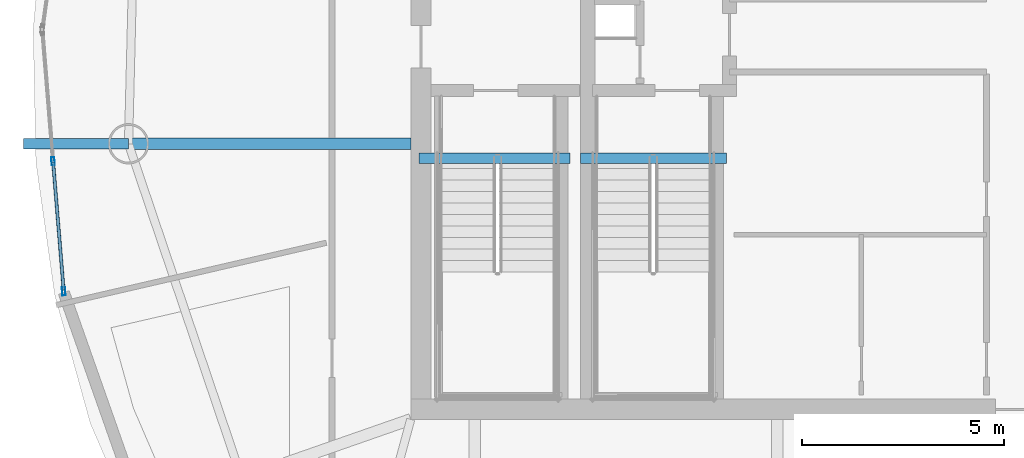
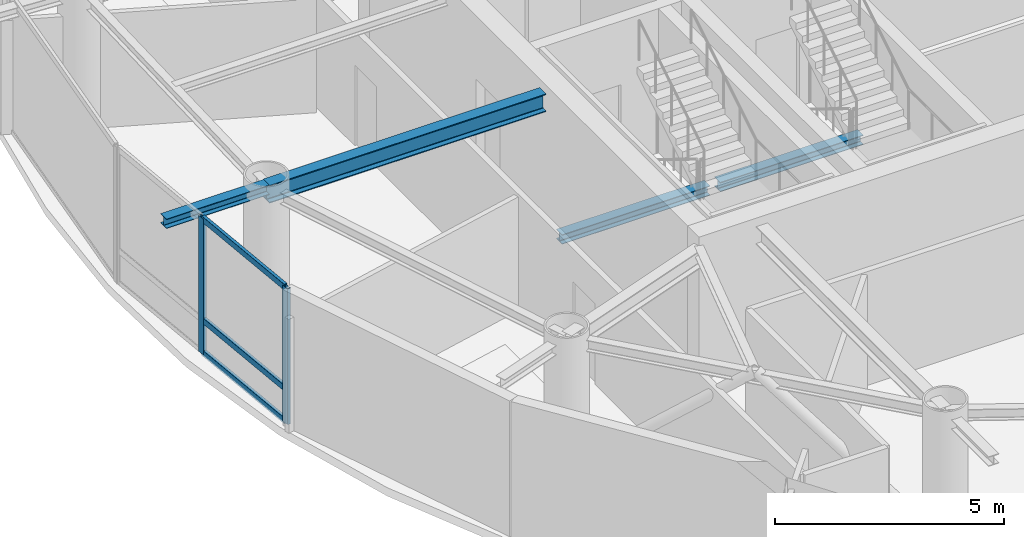
# One storey, part 4 of 20: 5 members, 4 beams, 1 element without a shape of its own.
"""IFC4 building model written with IfcOpenShell, lengths in metres."""

from ifc_helpers import new_model, si_unit, direction, frame, origin, origin_2d, place, context, subcontext, project, spatial, hollow_rectangle, i_section, extrude, material, layer, layer_set, material_profile, profile_set, type_object, element, aggregate, save


model = new_model("IFC4")

# Units and contexts
model_context = context("Model", 3, precision=1e-05, world=origin(), true_north=direction((0.0, 1.0)))
body_context = subcontext(model_context, "Body", "Model", "MODEL_VIEW")
ifc_project = project(units=[si_unit("LENGTHUNIT", "METRE"), si_unit("AREAUNIT", "SQUARE_METRE"), si_unit("VOLUMEUNIT", "CUBIC_METRE"), si_unit("PLANEANGLEUNIT", "RADIAN"), si_unit("MASSUNIT", "GRAM", prefix="KILO")], contexts=[model_context])

# Site, building, storey
site_placement = place(None, origin())
site = spatial("IfcSite", under=ifc_project, at=site_placement, CompositionType="ELEMENT")
building_placement = place(site_placement, origin())
building = spatial("IfcBuilding", under=site, at=building_placement, Name="Bramvorn Convention Spire", CompositionType="ELEMENT")
storey_placement = place(building_placement, frame((0.0, 0.0, 284.39990234375)))
storey = spatial("IfcBuildingStorey", under=building, at=storey_placement, Name="L72", CompositionType="ELEMENT", Elevation=284.39990234375)

# Beams
ifc_material_1 = material(Name="Steel CSA G40.21 Grade 350 (350W)", Category="steel")
ifc_material_profile_1 = material_profile(ifc_material_1, i_section(OverallWidth=0.25390625, OverallDepth=0.2529296875, WebThickness=0.008544921875, FlangeThickness=0.01416015625, FilletRadius=0.011962890625, at=origin_2d()))
ifc_profile_set_1 = profile_set([ifc_material_profile_1], Name="Steel CSA G40.21 Grade 350 (350W) - W250X73")
beam_type_1 = type_object("IfcBeamType", Name="BM-W250X73", PredefinedType="BEAM", material=ifc_profile_set_1)
beam_1_placement = place(storey_placement, frame((19.765380859375, 25.37060546875, 3.49853515625), z_axis=(-1.0, 0.0, 0.0), x_axis=(0.0, -1.0, 0.0)))
element("IfcBeam", 1, at=beam_1_placement, inside=storey, type_object=beam_type_1, Name="L72 slab-edge cantilever tip beam MC12", PredefinedType="BEAM", context=body_context, shape_type="SweptSolid", body=[
    extrude(i_section(OverallWidth=0.25390625, OverallDepth=0.2529296875, WebThickness=0.008544921875, FlangeThickness=0.01416015625, FilletRadius=0.011962890625, at=origin_2d()), origin(), (0.0, 0.0, 1.0), 2.598876953125),
])
beam_2_placement = place(storey_placement, frame((26.949951171875, 25.010009765625, -0.12646484375), z_axis=(1.0, 0.0, 0.0), x_axis=(0.0, 1.0, 0.0)))
element("IfcBeam", 2, at=beam_2_placement, inside=storey, type_object=beam_type_1, Name="L72 ST1 stair arrival header beam", PredefinedType="BEAM", context=body_context, shape_type="SweptSolid", body=[
    extrude(i_section(OverallWidth=0.25390625, OverallDepth=0.2529296875, WebThickness=0.008544921875, FlangeThickness=0.01416015625, FilletRadius=0.011962890625, at=origin_2d()), origin(), (0.0, 0.0, 1.0), 3.739990234375),
])
beam_3_placement = place(storey_placement, frame((30.949951171875, 25.010009765625, -0.12646484375), z_axis=(1.0, 0.0, 0.0), x_axis=(0.0, 1.0, 0.0)))
element("IfcBeam", 3, at=beam_3_placement, inside=storey, type_object=beam_type_1, Name="L72 ST3 stair arrival header beam", PredefinedType="BEAM", context=body_context, shape_type="SweptSolid", body=[
    extrude(i_section(OverallWidth=0.25390625, OverallDepth=0.2529296875, WebThickness=0.008544921875, FlangeThickness=0.01416015625, FilletRadius=0.011962890625, at=origin_2d()), origin(), (0.0, 0.0, 1.0), 3.610107421875),
])
ifc_material_profile_2 = material_profile(ifc_material_1, i_section(OverallWidth=0.283935546875, OverallDepth=0.47607421875, WebThickness=0.014892578125, FlangeThickness=0.02392578125, FilletRadius=0.01806640625, at=origin_2d()))
ifc_profile_set_2 = profile_set([ifc_material_profile_2], Name="Steel CSA G40.21 Grade 350 (350W) - W460X158")
beam_type_2 = type_object("IfcBeamType", Name="BM-W460X158", PredefinedType="SPANDREL", material=ifc_profile_set_2)
beam_4_placement = place(storey_placement, frame((26.75, 25.37060546875, 3.38720703125), z_axis=(-1.0, 0.0, 0.0), x_axis=(0.0, -1.0, 0.0)))
element("IfcBeam", 4, at=beam_4_placement, inside=storey, type_object=beam_type_2, Name="L72 radial floor girder MC12", PredefinedType="SPANDREL", context=body_context, shape_type="SweptSolid", body=[
    extrude(i_section(OverallWidth=0.283935546875, OverallDepth=0.47607421875, WebThickness=0.014892578125, FlangeThickness=0.02392578125, FilletRadius=0.01806640625, at=origin_2d()), origin(), (0.0, 0.0, 1.0), 6.984619140625),
])

# Curtain wall, members
ifc_material_2 = material(Name="Anodised Bronze Unitised Curtain Wall", Category="aluminium")
ifc_layer = layer(ifc_material_2, 0.179931640625)
ifc_layer_set = layer_set([ifc_layer], Name="Anodised Bronze Unitised Curtain Wall - CW-OFF-FRIT")
curtain_wall_type = type_object("IfcCurtainWallType", Name="CW-OFF-FRIT", PredefinedType="USERDEFINED", material=ifc_layer_set)
curtain_wall_placement = place(storey_placement, origin())
curtain_wall = element("IfcCurtainWall", 5, at=curtain_wall_placement, inside=storey, type_object=curtain_wall_type, Name="L72 fritted glass curtain wall 17", ObjectType="UNITISED CURTAIN WALL", PredefinedType="USERDEFINED")
ifc_material_3 = material(Name="Anodised Bronze Aluminium 6063-T6", Category="aluminium")
ifc_material_profile_3 = material_profile(ifc_material_3, hollow_rectangle(XDim=0.080078125, YDim=0.199951171875, WallThickness=0.00390625, InnerFilletRadius=0.0009765625, OuterFilletRadius=0.00390625, at=origin_2d()))
ifc_profile_set_3 = profile_set([ifc_material_profile_3], Name="Anodised Bronze Aluminium 6063-T6 - CWM80X200")
member_type_1 = type_object("IfcMemberType", Name="CW-MUL-180", PredefinedType="MULLION", material=ifc_profile_set_3)
member_1_placement = place(storey_placement, frame((18.16259765625, 21.717529296875, 0.0), z_axis=(0.0, 0.0, 1.0), x_axis=(-0.996648024612, -0.081809015619, 0.0)))
member_1 = element("IfcMember", 6, at=member_1_placement, type_object=member_type_1, Name="CW3 mullion 1", PredefinedType="MULLION", context=body_context, shape_type="SweptSolid", body=[
    extrude(hollow_rectangle(XDim=0.080078125, YDim=0.199951171875, WallThickness=0.00390625, InnerFilletRadius=0.0009765625, OuterFilletRadius=0.00390625, at=origin_2d()), origin(), (0.0, 0.0, 1.0), 3.625),
])
member_2_placement = place(storey_placement, frame((17.898193359375, 24.93994140625, 0.0), z_axis=(0.0, 0.0, 1.0), x_axis=(-0.996648024612, -0.081809015619, 0.0)))
member_2 = element("IfcMember", 7, at=member_2_placement, type_object=member_type_1, Name="CW3 mullion 2", PredefinedType="MULLION", context=body_context, shape_type="SweptSolid", body=[
    extrude(hollow_rectangle(XDim=0.080078125, YDim=0.199951171875, WallThickness=0.00390625, InnerFilletRadius=0.0009765625, OuterFilletRadius=0.00390625, at=origin_2d()), origin(), (0.0, 0.0, 1.0), 3.625),
])
ifc_material_profile_4 = material_profile(ifc_material_3, hollow_rectangle(XDim=0.080078125, YDim=0.159912109375, WallThickness=0.00390625, InnerFilletRadius=0.0009765625, OuterFilletRadius=0.00390625, at=origin_2d()))
ifc_profile_set_4 = profile_set([ifc_material_profile_4], Name="Anodised Bronze Aluminium 6063-T6 - CWT80X160")
member_type_2 = type_object("IfcMemberType", Name="CW-TRN-150", PredefinedType="USERDEFINED", material=ifc_profile_set_4)
member_3_placement = place(storey_placement, frame((18.16015625, 21.74755859375, 0.030029296875), z_axis=(-0.081790969245, 0.996649505769, 0.0), x_axis=(-0.996649505769, -0.081790969245, 0.0)))
member_3 = element("IfcMember", 8, at=member_3_placement, type_object=member_type_2, Name="CW3 transom 1.1", ObjectType="TRANSOM", PredefinedType="USERDEFINED", context=body_context, shape_type="SweptSolid", body=[
    extrude(hollow_rectangle(XDim=0.080078125, YDim=0.159912109375, WallThickness=0.00390625, InnerFilletRadius=0.0009765625, OuterFilletRadius=0.00390625, at=origin_2d()), origin(), (0.0, 0.0, 1.0), 3.173095703125),
])
member_4_placement = place(storey_placement, frame((18.16015625, 21.74755859375, 0.900146484375), z_axis=(-0.081790969245, 0.996649505769, 0.0), x_axis=(-0.996649505769, -0.081790969245, 0.0)))
member_4 = element("IfcMember", 9, at=member_4_placement, type_object=member_type_2, Name="CW3 transom 1.2", ObjectType="TRANSOM", PredefinedType="USERDEFINED", context=body_context, shape_type="SweptSolid", body=[
    extrude(hollow_rectangle(XDim=0.080078125, YDim=0.159912109375, WallThickness=0.00390625, InnerFilletRadius=0.0009765625, OuterFilletRadius=0.00390625, at=origin_2d()), origin(), (0.0, 0.0, 1.0), 3.173095703125),
])
member_5_placement = place(storey_placement, frame((18.16015625, 21.74755859375, 3.59521484375), z_axis=(-0.081790969245, 0.996649505769, 0.0), x_axis=(-0.996649505769, -0.081790969245, 0.0)))
member_5 = element("IfcMember", 10, at=member_5_placement, type_object=member_type_2, Name="CW3 transom 1.3", ObjectType="TRANSOM", PredefinedType="USERDEFINED", context=body_context, shape_type="SweptSolid", body=[
    extrude(hollow_rectangle(XDim=0.080078125, YDim=0.159912109375, WallThickness=0.00390625, InnerFilletRadius=0.0009765625, OuterFilletRadius=0.00390625, at=origin_2d()), origin(), (0.0, 0.0, 1.0), 3.173095703125),
])
aggregate(curtain_wall, [member_1, member_2, member_3, member_4, member_5])

save(model, "model.ifc")
